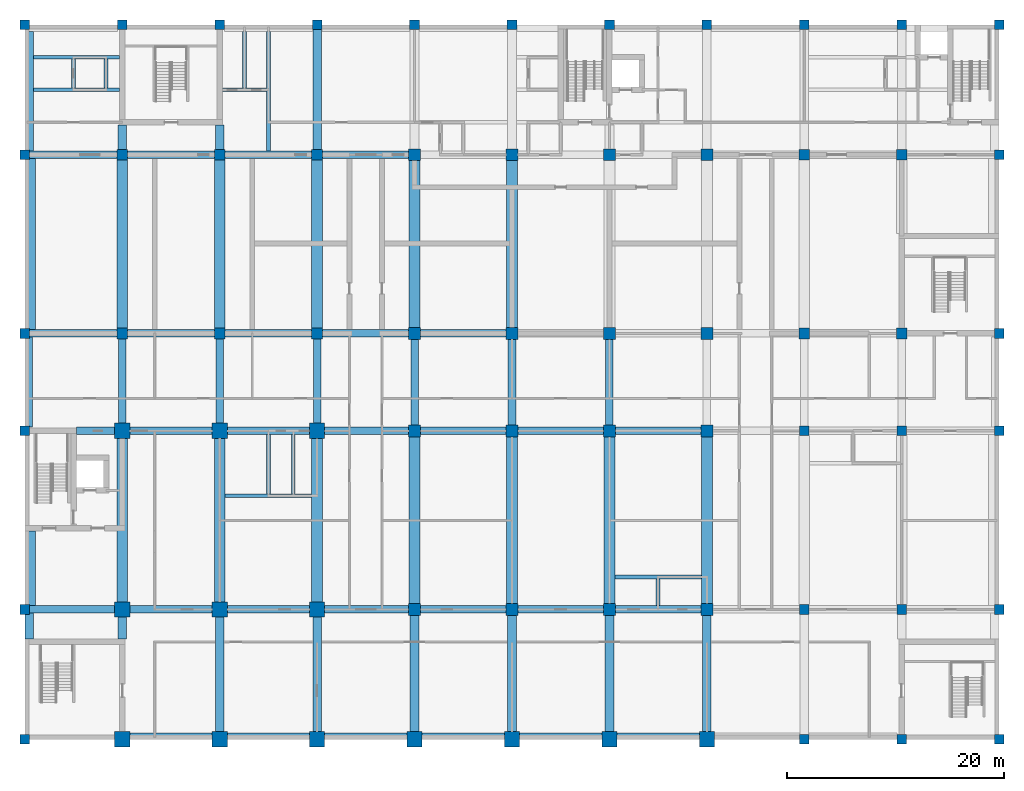
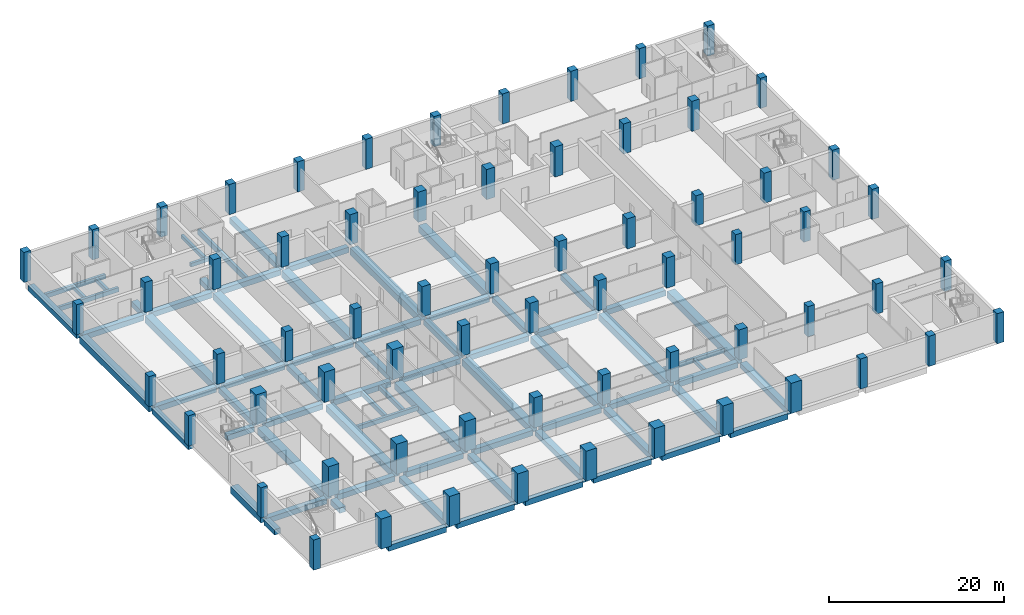
# One storey, part 1 of 16: 74 beams, 66 columns.
"""IFC4 building model written with IfcOpenShell, lengths in metres."""

from ifc_helpers import new_model, si_unit, direction, frame, origin, origin_2d, place, context, subcontext, project, spatial, rectangle, extrude, material, material_profile, profile_set, type_object, element, save


model = new_model("IFC4")

# Units and contexts
model_context = context("Model", 3, precision=1e-05, world=origin(), true_north=direction((0.0, 1.0)))
body_context = subcontext(model_context, "Body", "Model", "MODEL_VIEW")
ifc_project = project(units=[si_unit("LENGTHUNIT", "METRE"), si_unit("AREAUNIT", "SQUARE_METRE"), si_unit("VOLUMEUNIT", "CUBIC_METRE"), si_unit("PLANEANGLEUNIT", "RADIAN"), si_unit("MASSUNIT", "GRAM", prefix="KILO")], contexts=[model_context])

# Site, building, storey
site_placement = place(None, origin())
site = spatial("IfcSite", under=ifc_project, at=site_placement, CompositionType="ELEMENT")
building_placement = place(site_placement, origin())
building = spatial("IfcBuilding", under=site, at=building_placement, Name="Aurelan Courthouse", CompositionType="ELEMENT")
storey_placement = place(building_placement, frame((0.0, 0.0, -4.199951171875)))
storey = spatial("IfcBuildingStorey", under=building, at=storey_placement, Name="B1", CompositionType="ELEMENT", Elevation=-4.199951171875)

# Columns
ifc_material_1 = material(Name="Concrete C50", Category="concrete")
ifc_material_profile_1 = material_profile(ifc_material_1, rectangle(XDim=1.0, YDim=1.0, at=origin_2d()), Name="RC 1000 x 1000")
ifc_profile_set_1 = profile_set([ifc_material_profile_1], Name="Concrete C50")
column_type_1 = type_object("IfcColumnType", Name="RC column 1000 x 1000 C50", PredefinedType="COLUMN", material=ifc_profile_set_1)
for number, where, z_axis, x_axis, name in (
    (1, (9.0, 37.5, 0.0), (0.0, 0.0, 1.0), (1.0, 0.0, 0.0), "Column C-D2-A"),
    (2, (18.0, 37.5, 0.0), (0.0, 0.0, 1.0), (1.0, 0.0, 0.0), "Column C-D3-A"),
    (3, (27.0, 37.5, 0.0), (0.0, 0.0, 1.0), (1.0, 0.0, 0.0), "Column C-D4-A"),
    (4, (72.0, 37.5, 0.0), (0.0, 0.0, 1.0), (1.0, 0.0, 0.0), "Column C-D9-A"),
    (5, (81.0, 37.5, 0.0), (0.0, 0.0, 1.0), (1.0, 0.0, 0.0), "Column C-D10-A"),
    (6, (9.0, 54.0, 0.0), (0.0, 0.0, 1.0), (1.0, 0.0, 0.0), "Column C-E2-A"),
    (7, (18.0, 54.0, 0.0), (0.0, 0.0, 1.0), (1.0, 0.0, 0.0), "Column C-E3-A"),
    (8, (27.0, 54.0, 0.0), (0.0, 0.0, 1.0), (1.0, 0.0, 0.0), "Column C-E4-A"),
    (9, (72.0, 54.0, 0.0), (0.0, 0.0, 1.0), (1.0, 0.0, 0.0), "Column C-E9-A"),
    (10, (81.0, 54.0, 0.0), (0.0, 0.0, 1.0), (1.0, 0.0, 0.0), "Column C-E10-A"),
):
    element("IfcColumn", number, at=place(storey_placement, frame(where, z_axis=z_axis, x_axis=x_axis)), inside=storey, type_object=column_type_1, Name=name, PredefinedType="COLUMN", context=body_context, shape_type="SweptSolid", body=[
        extrude(rectangle(XDim=1.0, YDim=1.0, at=origin_2d()), origin(), (0.0, 0.0, 1.0), 4.199951171875),
    ])
ifc_material_profile_2 = material_profile(ifc_material_1, rectangle(XDim=1.10009765625, YDim=1.10009765625, at=origin_2d()), Name="RC 1100 x 1100")
ifc_profile_set_2 = profile_set([ifc_material_profile_2], Name="Concrete C50")
column_type_2 = type_object("IfcColumnType", Name="RC column 1100 x 1100 C50", PredefinedType="COLUMN", material=ifc_profile_set_2)
for number, where, z_axis, x_axis, name in (
    (11, (36.0, 12.0, 0.0), (0.0, 0.0, 1.0), (1.0, 0.0, 0.0), "Column C-B5-A"),
    (12, (45.0, 12.0, 0.0), (0.0, 0.0, 1.0), (1.0, 0.0, 0.0), "Column C-B6-A"),
    (13, (54.0, 12.0, 0.0), (0.0, 0.0, 1.0), (1.0, 0.0, 0.0), "Column C-B7-A"),
    (14, (63.0, 12.0, 0.0), (0.0, 0.0, 1.0), (1.0, 0.0, 0.0), "Column C-B8-A"),
    (15, (36.0, 28.5, 0.0), (0.0, 0.0, 1.0), (1.0, 0.0, 0.0), "Column C-C5-A"),
    (16, (45.0, 28.5, 0.0), (0.0, 0.0, 1.0), (1.0, 0.0, 0.0), "Column C-C6-A"),
    (17, (54.0, 28.5, 0.0), (0.0, 0.0, 1.0), (1.0, 0.0, 0.0), "Column C-C7-A"),
    (18, (63.0, 28.5, 0.0), (0.0, 0.0, 1.0), (1.0, 0.0, 0.0), "Column C-C8-A"),
    (19, (36.0, 37.5, 0.0), (0.0, 0.0, 1.0), (1.0, 0.0, 0.0), "Column C-D5-A"),
    (20, (45.0, 37.5, 0.0), (0.0, 0.0, 1.0), (1.0, 0.0, 0.0), "Column C-D6-A"),
    (21, (54.0, 37.5, 0.0), (0.0, 0.0, 1.0), (1.0, 0.0, 0.0), "Column C-D7-A"),
    (22, (63.0, 37.5, 0.0), (0.0, 0.0, 1.0), (1.0, 0.0, 0.0), "Column C-D8-A"),
    (23, (36.0, 54.0, 0.0), (0.0, 0.0, 1.0), (1.0, 0.0, 0.0), "Column C-E5-A"),
    (24, (45.0, 54.0, 0.0), (0.0, 0.0, 1.0), (1.0, 0.0, 0.0), "Column C-E6-A"),
    (25, (54.0, 54.0, 0.0), (0.0, 0.0, 1.0), (1.0, 0.0, 0.0), "Column C-E7-A"),
    (26, (63.0, 54.0, 0.0), (0.0, 0.0, 1.0), (1.0, 0.0, 0.0), "Column C-E8-A"),
):
    element("IfcColumn", number, at=place(storey_placement, frame(where, z_axis=z_axis, x_axis=x_axis)), inside=storey, type_object=column_type_2, Name=name, PredefinedType="COLUMN", context=body_context, shape_type="SweptSolid", body=[
        extrude(rectangle(XDim=1.10009765625, YDim=1.10009765625, at=origin_2d()), origin(), (0.0, 0.0, 1.0), 4.199951171875),
    ])
ifc_material_profile_3 = material_profile(ifc_material_1, rectangle(XDim=1.39990234375, YDim=1.39990234375, at=origin_2d()), Name="RC 1400 x 1400")
ifc_profile_set_3 = profile_set([ifc_material_profile_3], Name="Concrete C50")
column_type_3 = type_object("IfcColumnType", Name="RC column 1400 x 1400 C50", PredefinedType="COLUMN", material=ifc_profile_set_3)
for number, where, z_axis, x_axis, name in (
    (27, (9.0, 0.0, 0.0), (0.0, 0.0, 1.0), (1.0, 0.0, 0.0), "Column C-A2-A"),
    (28, (18.0, 0.0, 0.0), (0.0, 0.0, 1.0), (1.0, 0.0, 0.0), "Column C-A3-A"),
    (29, (27.0, 0.0, 0.0), (0.0, 0.0, 1.0), (1.0, 0.0, 0.0), "Column C-A4-A"),
    (30, (36.0, 0.0, 0.0), (0.0, 0.0, 1.0), (1.0, 0.0, 0.0), "Column C-A5-A"),
    (31, (45.0, 0.0, 0.0), (0.0, 0.0, 1.0), (1.0, 0.0, 0.0), "Column C-A6-A"),
    (32, (54.0, 0.0, 0.0), (0.0, 0.0, 1.0), (1.0, 0.0, 0.0), "Column C-A7-A"),
    (33, (63.0, 0.0, 0.0), (0.0, 0.0, 1.0), (1.0, 0.0, 0.0), "Column C-A8-A"),
    (34, (9.0, 12.0, 0.0), (0.0, 0.0, 1.0), (1.0, 0.0, 0.0), "Column C-B2-A"),
    (35, (18.0, 12.0, 0.0), (0.0, 0.0, 1.0), (1.0, 0.0, 0.0), "Column C-B3-A"),
    (36, (27.0, 12.0, 0.0), (0.0, 0.0, 1.0), (1.0, 0.0, 0.0), "Column C-B4-A"),
    (37, (9.0, 28.5, 0.0), (0.0, 0.0, 1.0), (1.0, 0.0, 0.0), "Column C-C2-A"),
    (38, (18.0, 28.5, 0.0), (0.0, 0.0, 1.0), (1.0, 0.0, 0.0), "Column C-C3-A"),
    (39, (27.0, 28.5, 0.0), (0.0, 0.0, 1.0), (1.0, 0.0, 0.0), "Column C-C4-A"),
):
    element("IfcColumn", number, at=place(storey_placement, frame(where, z_axis=z_axis, x_axis=x_axis)), inside=storey, type_object=column_type_3, Name=name, PredefinedType="COLUMN", context=body_context, shape_type="SweptSolid", body=[
        extrude(rectangle(XDim=1.39990234375, YDim=1.39990234375, at=origin_2d()), origin(), (0.0, 0.0, 1.0), 4.199951171875),
    ])
ifc_material_profile_4 = material_profile(ifc_material_1, rectangle(XDim=0.89990234375, YDim=0.89990234375, at=origin_2d()), Name="RC 900 x 900")
ifc_profile_set_4 = profile_set([ifc_material_profile_4], Name="Concrete C50")
column_type_4 = type_object("IfcColumnType", Name="RC column 900 x 900 C50", PredefinedType="COLUMN", material=ifc_profile_set_4)
for number, where, z_axis, x_axis, name in (
    (40, (0.0, 0.0, 0.0), (0.0, 0.0, 1.0), (1.0, 0.0, 0.0), "Column C-A1-A"),
    (41, (72.0, 0.0, 0.0), (0.0, 0.0, 1.0), (1.0, 0.0, 0.0), "Column C-A9-A"),
    (42, (81.0, 0.0, 0.0), (0.0, 0.0, 1.0), (1.0, 0.0, 0.0), "Column C-A10-A"),
    (43, (90.0, 0.0, 0.0), (0.0, 0.0, 1.0), (1.0, 0.0, 0.0), "Column C-A11-A"),
    (44, (0.0, 12.0, 0.0), (0.0, 0.0, 1.0), (1.0, 0.0, 0.0), "Column C-B1-A"),
    (45, (72.0, 12.0, 0.0), (0.0, 0.0, 1.0), (1.0, 0.0, 0.0), "Column C-B9-A"),
    (46, (81.0, 12.0, 0.0), (0.0, 0.0, 1.0), (1.0, 0.0, 0.0), "Column C-B10-A"),
    (47, (90.0, 12.0, 0.0), (0.0, 0.0, 1.0), (1.0, 0.0, 0.0), "Column C-B11-A"),
    (48, (0.0, 28.5, 0.0), (0.0, 0.0, 1.0), (1.0, 0.0, 0.0), "Column C-C1-A"),
    (49, (72.0, 28.5, 0.0), (0.0, 0.0, 1.0), (1.0, 0.0, 0.0), "Column C-C9-A"),
    (50, (81.0, 28.5, 0.0), (0.0, 0.0, 1.0), (1.0, 0.0, 0.0), "Column C-C10-A"),
    (51, (90.0, 28.5, 0.0), (0.0, 0.0, 1.0), (1.0, 0.0, 0.0), "Column C-C11-A"),
    (52, (0.0, 37.5, 0.0), (0.0, 0.0, 1.0), (1.0, 0.0, 0.0), "Column C-D1-A"),
    (53, (90.0, 37.5, 0.0), (0.0, 0.0, 1.0), (1.0, 0.0, 0.0), "Column C-D11-A"),
    (54, (0.0, 54.0, 0.0), (0.0, 0.0, 1.0), (1.0, 0.0, 0.0), "Column C-E1-A"),
    (55, (90.0, 54.0, 0.0), (0.0, 0.0, 1.0), (1.0, 0.0, 0.0), "Column C-E11-A"),
    (56, (0.0, 66.0, 0.0), (0.0, 0.0, 1.0), (1.0, 0.0, 0.0), "Column C-F1-A"),
    (57, (9.0, 66.0, 0.0), (0.0, 0.0, 1.0), (1.0, 0.0, 0.0), "Column C-F2-A"),
    (58, (18.0, 66.0, 0.0), (0.0, 0.0, 1.0), (1.0, 0.0, 0.0), "Column C-F3-A"),
    (59, (27.0, 66.0, 0.0), (0.0, 0.0, 1.0), (1.0, 0.0, 0.0), "Column C-F4-A"),
    (60, (36.0, 66.0, 0.0), (0.0, 0.0, 1.0), (1.0, 0.0, 0.0), "Column C-F5-A"),
    (61, (45.0, 66.0, 0.0), (0.0, 0.0, 1.0), (1.0, 0.0, 0.0), "Column C-F6-A"),
    (62, (54.0, 66.0, 0.0), (0.0, 0.0, 1.0), (1.0, 0.0, 0.0), "Column C-F7-A"),
    (63, (63.0, 66.0, 0.0), (0.0, 0.0, 1.0), (1.0, 0.0, 0.0), "Column C-F8-A"),
    (64, (72.0, 66.0, 0.0), (0.0, 0.0, 1.0), (1.0, 0.0, 0.0), "Column C-F9-A"),
    (65, (81.0, 66.0, 0.0), (0.0, 0.0, 1.0), (1.0, 0.0, 0.0), "Column C-F10-A"),
    (66, (90.0, 66.0, 0.0), (0.0, 0.0, 1.0), (1.0, 0.0, 0.0), "Column C-F11-A"),
):
    element("IfcColumn", number, at=place(storey_placement, frame(where, z_axis=z_axis, x_axis=x_axis)), inside=storey, type_object=column_type_4, Name=name, PredefinedType="COLUMN", context=body_context, shape_type="SweptSolid", body=[
        extrude(rectangle(XDim=0.89990234375, YDim=0.89990234375, at=origin_2d()), origin(), (0.0, 0.0, 1.0), 4.199951171875),
    ])

# Beams
ifc_material_profile_5 = material_profile(ifc_material_1, rectangle(XDim=0.699951171875, YDim=0.75, at=origin_2d()), Name="RC 700 x 750")
ifc_profile_set_5 = profile_set([ifc_material_profile_5], Name="Concrete C50")
beam_type_1 = type_object("IfcBeamType", Name="PT beam 700 x 750", PredefinedType="BEAM", material=ifc_profile_set_5)
beam_1_placement = place(storey_placement, frame((0.35009765625, 28.85009765625, -0.775146484375), z_axis=(0.0, 1.0, 0.0), x_axis=(-1.0, 0.0, 0.0)))
element("IfcBeam", 67, at=beam_1_placement, inside=storey, type_object=beam_type_1, Name="Girder GB-1CD-E", PredefinedType="BEAM", context=body_context, shape_type="SweptSolid", body=[
    extrude(rectangle(XDim=0.699951171875, YDim=0.75, at=origin_2d()), origin(), (0.0, 0.0, 1.0), 8.2998046875),
])
for number, where, z_axis, x_axis, name in (
    (68, (9.0, 29.199951171875, -0.775146484375), (0.0, 1.0, 0.0), (-1.0, 0.0, 0.0), "Girder GB-2CD"),
    (69, (18.0, 29.199951171875, -0.775146484375), (0.0, 1.0, 0.0), (-1.0, 0.0, 0.0), "Girder GB-3CD"),
    (70, (27.0, 29.199951171875, -0.775146484375), (0.0, 1.0, 0.0), (-1.0, 0.0, 0.0), "Girder GB-4CD"),
):
    element("IfcBeam", number, at=place(storey_placement, frame(where, z_axis=z_axis, x_axis=x_axis)), inside=storey, type_object=beam_type_1, Name=name, PredefinedType="BEAM", context=body_context, shape_type="SweptSolid", body=[
        extrude(rectangle(XDim=0.699951171875, YDim=0.75, at=origin_2d()), origin(), (0.0, 0.0, 1.0), 7.800048828125),
    ])
for number, where, z_axis, x_axis, name in (
    (71, (36.0, 29.050048828125, -0.775146484375), (0.0, 1.0, 0.0), (-1.0, 0.0, 0.0), "Girder GB-5CD"),
    (72, (45.0, 29.050048828125, -0.775146484375), (0.0, 1.0, 0.0), (-1.0, 0.0, 0.0), "Girder GB-6CD"),
    (73, (54.0, 29.050048828125, -0.775146484375), (0.0, 1.0, 0.0), (-1.0, 0.0, 0.0), "Girder GB-7CD"),
):
    element("IfcBeam", number, at=place(storey_placement, frame(where, z_axis=z_axis, x_axis=x_axis)), inside=storey, type_object=beam_type_1, Name=name, PredefinedType="BEAM", context=body_context, shape_type="SweptSolid", body=[
        extrude(rectangle(XDim=0.699951171875, YDim=0.75, at=origin_2d()), origin(), (0.0, 0.0, 1.0), 7.89990234375),
    ])
beam_2_placement = place(storey_placement, frame((0.449951171875, 12.0, -0.775146484375), z_axis=(1.0, 0.0, 0.0), x_axis=(0.0, 1.0, 0.0)))
element("IfcBeam", 74, at=beam_2_placement, inside=storey, type_object=beam_type_1, Name="Beam EB-B-1-2", PredefinedType="BEAM", context=body_context, shape_type="SweptSolid", body=[
    extrude(rectangle(XDim=0.699951171875, YDim=0.75, at=origin_2d()), origin(), (0.0, 0.0, 1.0), 7.85009765625),
])
for number, where, z_axis, x_axis, name in (
    (75, (9.699951171875, 12.0, -0.775146484375), (1.0, 0.0, 0.0), (0.0, 1.0, 0.0), "Beam EB-B-2-3"),
    (76, (18.699951171875, 12.0, -0.775146484375), (1.0, 0.0, 0.0), (0.0, 1.0, 0.0), "Beam EB-B-3-4"),
):
    element("IfcBeam", number, at=place(storey_placement, frame(where, z_axis=z_axis, x_axis=x_axis)), inside=storey, type_object=beam_type_1, Name=name, PredefinedType="BEAM", context=body_context, shape_type="SweptSolid", body=[
        extrude(rectangle(XDim=0.699951171875, YDim=0.75, at=origin_2d()), origin(), (0.0, 0.0, 1.0), 7.60009765625),
    ])
beam_3_placement = place(storey_placement, frame((27.699951171875, 12.0, -0.775146484375), z_axis=(1.0, 0.0, 0.0), x_axis=(0.0, 1.0, 0.0)))
element("IfcBeam", 77, at=beam_3_placement, inside=storey, type_object=beam_type_1, Name="Beam EB-B-4-5", PredefinedType="BEAM", context=body_context, shape_type="SweptSolid", body=[
    extrude(rectangle(XDim=0.699951171875, YDim=0.75, at=origin_2d()), origin(), (0.0, 0.0, 1.0), 7.75),
])
for number, where, z_axis, x_axis, name in (
    (78, (36.550048828125, 12.0, -0.775146484375), (1.0, 0.0, 0.0), (0.0, 1.0, 0.0), "Beam EB-B-5-6"),
    (79, (45.550048828125, 12.0, -0.775146484375), (1.0, 0.0, 0.0), (0.0, 1.0, 0.0), "Beam EB-B-6-7"),
    (80, (54.550048828125, 12.0, -0.775146484375), (1.0, 0.0, 0.0), (0.0, 1.0, 0.0), "Beam EB-B-7-8"),
):
    element("IfcBeam", number, at=place(storey_placement, frame(where, z_axis=z_axis, x_axis=x_axis)), inside=storey, type_object=beam_type_1, Name=name, PredefinedType="BEAM", context=body_context, shape_type="SweptSolid", body=[
        extrude(rectangle(XDim=0.699951171875, YDim=0.75, at=origin_2d()), origin(), (0.0, 0.0, 1.0), 7.89990234375),
    ])
beam_4_placement = place(storey_placement, frame((4.75, 28.5, -0.775146484375), z_axis=(1.0, 0.0, 0.0), x_axis=(0.0, 1.0, 0.0)))
element("IfcBeam", 81, at=beam_4_placement, inside=storey, type_object=beam_type_1, Name="Beam EB-C-1-2", PredefinedType="BEAM", context=body_context, shape_type="SweptSolid", body=[
    extrude(rectangle(XDim=0.699951171875, YDim=0.75, at=origin_2d()), origin(), (0.0, 0.0, 1.0), 3.550048828125),
])
for number, where, z_axis, x_axis, name in (
    (82, (9.699951171875, 28.5, -0.775146484375), (1.0, 0.0, 0.0), (0.0, 1.0, 0.0), "Beam EB-C-2-3"),
    (83, (18.699951171875, 28.5, -0.775146484375), (1.0, 0.0, 0.0), (0.0, 1.0, 0.0), "Beam EB-C-3-4"),
):
    element("IfcBeam", number, at=place(storey_placement, frame(where, z_axis=z_axis, x_axis=x_axis)), inside=storey, type_object=beam_type_1, Name=name, PredefinedType="BEAM", context=body_context, shape_type="SweptSolid", body=[
        extrude(rectangle(XDim=0.699951171875, YDim=0.75, at=origin_2d()), origin(), (0.0, 0.0, 1.0), 7.60009765625),
    ])
beam_5_placement = place(storey_placement, frame((27.699951171875, 28.5, -0.775146484375), z_axis=(1.0, 0.0, 0.0), x_axis=(0.0, 1.0, 0.0)))
element("IfcBeam", 84, at=beam_5_placement, inside=storey, type_object=beam_type_1, Name="Beam EB-C-4-5", PredefinedType="BEAM", context=body_context, shape_type="SweptSolid", body=[
    extrude(rectangle(XDim=0.699951171875, YDim=0.75, at=origin_2d()), origin(), (0.0, 0.0, 1.0), 7.75),
])
for number, where, z_axis, x_axis, name in (
    (85, (36.550048828125, 28.5, -0.775146484375), (1.0, 0.0, 0.0), (0.0, 1.0, 0.0), "Beam EB-C-5-6"),
    (86, (45.550048828125, 28.5, -0.775146484375), (1.0, 0.0, 0.0), (0.0, 1.0, 0.0), "Beam EB-C-6-7"),
    (87, (54.550048828125, 28.5, -0.775146484375), (1.0, 0.0, 0.0), (0.0, 1.0, 0.0), "Beam EB-C-7-8"),
):
    element("IfcBeam", number, at=place(storey_placement, frame(where, z_axis=z_axis, x_axis=x_axis)), inside=storey, type_object=beam_type_1, Name=name, PredefinedType="BEAM", context=body_context, shape_type="SweptSolid", body=[
        extrude(rectangle(XDim=0.699951171875, YDim=0.75, at=origin_2d()), origin(), (0.0, 0.0, 1.0), 7.89990234375),
    ])
beam_6_placement = place(storey_placement, frame((0.449951171875, 37.5, -0.775146484375), z_axis=(1.0, 0.0, 0.0), x_axis=(0.0, 1.0, 0.0)))
element("IfcBeam", 88, at=beam_6_placement, inside=storey, type_object=beam_type_1, Name="Beam EB-D-1-2", PredefinedType="BEAM", context=body_context, shape_type="SweptSolid", body=[
    extrude(rectangle(XDim=0.699951171875, YDim=0.75, at=origin_2d()), origin(), (0.0, 0.0, 1.0), 8.050048828125),
])
for number, where, z_axis, x_axis, name in (
    (89, (9.5, 37.5, -0.775146484375), (1.0, 0.0, 0.0), (0.0, 1.0, 0.0), "Beam EB-D-2-3"),
    (90, (18.5, 37.5, -0.775146484375), (1.0, 0.0, 0.0), (0.0, 1.0, 0.0), "Beam EB-D-3-4"),
):
    element("IfcBeam", number, at=place(storey_placement, frame(where, z_axis=z_axis, x_axis=x_axis)), inside=storey, type_object=beam_type_1, Name=name, PredefinedType="BEAM", context=body_context, shape_type="SweptSolid", body=[
        extrude(rectangle(XDim=0.699951171875, YDim=0.75, at=origin_2d()), origin(), (0.0, 0.0, 1.0), 8.0),
    ])
beam_7_placement = place(storey_placement, frame((27.5, 37.5, -0.775146484375), z_axis=(1.0, 0.0, 0.0), x_axis=(0.0, 1.0, 0.0)))
element("IfcBeam", 91, at=beam_7_placement, inside=storey, type_object=beam_type_1, Name="Beam EB-D-4-5", PredefinedType="BEAM", context=body_context, shape_type="SweptSolid", body=[
    extrude(rectangle(XDim=0.699951171875, YDim=0.75, at=origin_2d()), origin(), (0.0, 0.0, 1.0), 7.949951171875),
])
beam_8_placement = place(storey_placement, frame((36.550048828125, 37.5, -0.775146484375), z_axis=(1.0, 0.0, 0.0), x_axis=(0.0, 1.0, 0.0)))
element("IfcBeam", 92, at=beam_8_placement, inside=storey, type_object=beam_type_1, Name="Beam EB-D-5-6", PredefinedType="BEAM", context=body_context, shape_type="SweptSolid", body=[
    extrude(rectangle(XDim=0.699951171875, YDim=0.75, at=origin_2d()), origin(), (0.0, 0.0, 1.0), 7.89990234375),
])
beam_9_placement = place(storey_placement, frame((0.449951171875, 54.0, -0.775146484375), z_axis=(1.0, 0.0, 0.0), x_axis=(0.0, 1.0, 0.0)))
element("IfcBeam", 93, at=beam_9_placement, inside=storey, type_object=beam_type_1, Name="Beam EB-E-1-2", PredefinedType="BEAM", context=body_context, shape_type="SweptSolid", body=[
    extrude(rectangle(XDim=0.699951171875, YDim=0.75, at=origin_2d()), origin(), (0.0, 0.0, 1.0), 8.050048828125),
])
for number, where, z_axis, x_axis, name in (
    (94, (9.5, 54.0, -0.775146484375), (1.0, 0.0, 0.0), (0.0, 1.0, 0.0), "Beam EB-E-2-3"),
    (95, (18.5, 54.0, -0.775146484375), (1.0, 0.0, 0.0), (0.0, 1.0, 0.0), "Beam EB-E-3-4"),
):
    element("IfcBeam", number, at=place(storey_placement, frame(where, z_axis=z_axis, x_axis=x_axis)), inside=storey, type_object=beam_type_1, Name=name, PredefinedType="BEAM", context=body_context, shape_type="SweptSolid", body=[
        extrude(rectangle(XDim=0.699951171875, YDim=0.75, at=origin_2d()), origin(), (0.0, 0.0, 1.0), 8.0),
    ])
beam_10_placement = place(storey_placement, frame((27.5, 54.0, -0.775146484375), z_axis=(1.0, 0.0, 0.0), x_axis=(0.0, 1.0, 0.0)))
element("IfcBeam", 96, at=beam_10_placement, inside=storey, type_object=beam_type_1, Name="Beam EB-E-4-5", PredefinedType="BEAM", context=body_context, shape_type="SweptSolid", body=[
    extrude(rectangle(XDim=0.699951171875, YDim=0.75, at=origin_2d()), origin(), (0.0, 0.0, 1.0), 7.949951171875),
])
ifc_material_profile_6 = material_profile(ifc_material_1, rectangle(XDim=1.0, YDim=0.949951171875, at=origin_2d()), Name="RC 1000 x 950")
ifc_profile_set_6 = profile_set([ifc_material_profile_6], Name="Concrete C50")
beam_type_2 = type_object("IfcBeamType", Name="PT girder 1000 x 950", PredefinedType="BEAM", material=ifc_profile_set_6)
beam_11_placement = place(storey_placement, frame((0.5, 12.35009765625, -0.875), z_axis=(0.0, 1.0, 0.0), x_axis=(-1.0, 0.0, 0.0)))
element("IfcBeam", 97, at=beam_11_placement, inside=storey, type_object=beam_type_2, Name="Girder GB-1BC-E", PredefinedType="BEAM", context=body_context, shape_type="SweptSolid", body=[
    extrude(rectangle(XDim=1.0, YDim=0.949951171875, at=origin_2d()), origin(), (0.0, 0.0, 1.0), 6.89990234375),
])
beam_12_placement = place(storey_placement, frame((0.5, 37.85009765625, -0.875), z_axis=(0.0, 1.0, 0.0), x_axis=(-1.0, 0.0, 0.0)))
element("IfcBeam", 98, at=beam_12_placement, inside=storey, type_object=beam_type_2, Name="Girder GB-1DE-E", PredefinedType="BEAM", context=body_context, shape_type="SweptSolid", body=[
    extrude(rectangle(XDim=1.0, YDim=0.949951171875, at=origin_2d()), origin(), (0.0, 0.0, 1.0), 15.7998046875),
])
beam_13_placement = place(storey_placement, frame((9.0, 12.699951171875, -0.875), z_axis=(0.0, 1.0, 0.0), x_axis=(-1.0, 0.0, 0.0)))
element("IfcBeam", 99, at=beam_13_placement, inside=storey, type_object=beam_type_2, Name="Girder GB-2BC", PredefinedType="BEAM", context=body_context, shape_type="SweptSolid", body=[
    extrude(rectangle(XDim=1.0, YDim=0.949951171875, at=origin_2d()), origin(), (0.0, 0.0, 1.0), 15.10009765625),
])
beam_14_placement = place(storey_placement, frame((9.0, 38.0, -0.875), z_axis=(0.0, 1.0, 0.0), x_axis=(-1.0, 0.0, 0.0)))
element("IfcBeam", 100, at=beam_14_placement, inside=storey, type_object=beam_type_2, Name="Girder GB-2DE", PredefinedType="BEAM", context=body_context, shape_type="SweptSolid", body=[
    extrude(rectangle(XDim=1.0, YDim=0.949951171875, at=origin_2d()), origin(), (0.0, 0.0, 1.0), 15.5),
])
beam_15_placement = place(storey_placement, frame((18.0, 12.699951171875, -0.875), z_axis=(0.0, 1.0, 0.0), x_axis=(-1.0, 0.0, 0.0)))
element("IfcBeam", 101, at=beam_15_placement, inside=storey, type_object=beam_type_2, Name="Girder GB-3BC", PredefinedType="BEAM", context=body_context, shape_type="SweptSolid", body=[
    extrude(rectangle(XDim=1.0, YDim=0.949951171875, at=origin_2d()), origin(), (0.0, 0.0, 1.0), 15.10009765625),
])
beam_16_placement = place(storey_placement, frame((18.0, 38.0, -0.875), z_axis=(0.0, 1.0, 0.0), x_axis=(-1.0, 0.0, 0.0)))
element("IfcBeam", 102, at=beam_16_placement, inside=storey, type_object=beam_type_2, Name="Girder GB-3DE", PredefinedType="BEAM", context=body_context, shape_type="SweptSolid", body=[
    extrude(rectangle(XDim=1.0, YDim=0.949951171875, at=origin_2d()), origin(), (0.0, 0.0, 1.0), 15.5),
])
beam_17_placement = place(storey_placement, frame((27.0, 12.699951171875, -0.875), z_axis=(0.0, 1.0, 0.0), x_axis=(-1.0, 0.0, 0.0)))
element("IfcBeam", 103, at=beam_17_placement, inside=storey, type_object=beam_type_2, Name="Girder GB-4BC", PredefinedType="BEAM", context=body_context, shape_type="SweptSolid", body=[
    extrude(rectangle(XDim=1.0, YDim=0.949951171875, at=origin_2d()), origin(), (0.0, 0.0, 1.0), 15.10009765625),
])
beam_18_placement = place(storey_placement, frame((27.0, 38.0, -0.875), z_axis=(0.0, 1.0, 0.0), x_axis=(-1.0, 0.0, 0.0)))
element("IfcBeam", 104, at=beam_18_placement, inside=storey, type_object=beam_type_2, Name="Girder GB-4DE", PredefinedType="BEAM", context=body_context, shape_type="SweptSolid", body=[
    extrude(rectangle(XDim=1.0, YDim=0.949951171875, at=origin_2d()), origin(), (0.0, 0.0, 1.0), 15.5),
])
for number, where, z_axis, x_axis, name in (
    (105, (36.0, 12.550048828125, -0.875), (0.0, 1.0, 0.0), (-1.0, 0.0, 0.0), "Girder GB-5BC"),
    (106, (36.0, 38.050048828125, -0.875), (0.0, 1.0, 0.0), (-1.0, 0.0, 0.0), "Girder GB-5DE"),
    (107, (45.0, 12.550048828125, -0.875), (0.0, 1.0, 0.0), (-1.0, 0.0, 0.0), "Girder GB-6BC"),
    (108, (45.0, 38.050048828125, -0.875), (0.0, 1.0, 0.0), (-1.0, 0.0, 0.0), "Girder GB-6DE"),
    (109, (54.0, 12.550048828125, -0.875), (0.0, 1.0, 0.0), (-1.0, 0.0, 0.0), "Girder GB-7BC"),
    (110, (63.0, 12.550048828125, -0.875), (0.0, 1.0, 0.0), (-1.0, 0.0, 0.0), "Girder GB-8BC"),
):
    element("IfcBeam", number, at=place(storey_placement, frame(where, z_axis=z_axis, x_axis=x_axis)), inside=storey, type_object=beam_type_2, Name=name, PredefinedType="BEAM", context=body_context, shape_type="SweptSolid", body=[
        extrude(rectangle(XDim=1.0, YDim=0.949951171875, at=origin_2d()), origin(), (0.0, 0.0, 1.0), 15.39990234375),
    ])
ifc_material_profile_7 = material_profile(ifc_material_1, rectangle(XDim=0.800048828125, YDim=0.75, at=origin_2d()), Name="RC 800 x 750")
ifc_profile_set_7 = profile_set([ifc_material_profile_7], Name="Concrete C50")
beam_type_3 = type_object("IfcBeamType", Name="PT girder 800 x 750", PredefinedType="BEAM", material=ifc_profile_set_7)
beam_19_placement = place(storey_placement, frame((0.39990234375, 9.25, -0.775146484375), z_axis=(0.0, 1.0, 0.0), x_axis=(-1.0, 0.0, 0.0)))
element("IfcBeam", 111, at=beam_19_placement, inside=storey, type_object=beam_type_3, Name="Girder GB-1AB-E", PredefinedType="BEAM", context=body_context, shape_type="SweptSolid", body=[
    extrude(rectangle(XDim=0.800048828125, YDim=0.75, at=origin_2d()), origin(), (0.0, 0.0, 1.0), 2.39990234375),
])
beam_20_placement = place(storey_placement, frame((0.39990234375, 54.35009765625, -0.775146484375), z_axis=(0.0, 1.0, 0.0), x_axis=(-1.0, 0.0, 0.0)))
element("IfcBeam", 112, at=beam_20_placement, inside=storey, type_object=beam_type_3, Name="Girder GB-1EF-E", PredefinedType="BEAM", context=body_context, shape_type="SweptSolid", body=[
    extrude(rectangle(XDim=0.800048828125, YDim=0.75, at=origin_2d()), origin(), (0.0, 0.0, 1.0), 11.0498046875),
])
beam_21_placement = place(storey_placement, frame((9.0, 9.25, -0.775146484375), z_axis=(0.0, 1.0, 0.0), x_axis=(-1.0, 0.0, 0.0)))
element("IfcBeam", 113, at=beam_21_placement, inside=storey, type_object=beam_type_3, Name="Girder GB-2AB", PredefinedType="BEAM", context=body_context, shape_type="SweptSolid", body=[
    extrude(rectangle(XDim=0.800048828125, YDim=0.75, at=origin_2d()), origin(), (0.0, 0.0, 1.0), 2.050048828125),
])
beam_22_placement = place(storey_placement, frame((9.0, 54.5, -0.775146484375), z_axis=(0.0, 1.0, 0.0), x_axis=(-1.0, 0.0, 0.0)))
element("IfcBeam", 114, at=beam_22_placement, inside=storey, type_object=beam_type_3, Name="Girder GB-2EF", PredefinedType="BEAM", context=body_context, shape_type="SweptSolid", body=[
    extrude(rectangle(XDim=0.800048828125, YDim=0.75, at=origin_2d()), origin(), (0.0, 0.0, 1.0), 2.25),
])
beam_23_placement = place(storey_placement, frame((18.0, 0.699951171875, -0.775146484375), z_axis=(0.0, 1.0, 0.0), x_axis=(-1.0, 0.0, 0.0)))
element("IfcBeam", 115, at=beam_23_placement, inside=storey, type_object=beam_type_3, Name="Girder GB-3AB", PredefinedType="BEAM", context=body_context, shape_type="SweptSolid", body=[
    extrude(rectangle(XDim=0.800048828125, YDim=0.75, at=origin_2d()), origin(), (0.0, 0.0, 1.0), 10.60009765625),
])
beam_24_placement = place(storey_placement, frame((18.0, 54.5, -0.775146484375), z_axis=(0.0, 1.0, 0.0), x_axis=(-1.0, 0.0, 0.0)))
element("IfcBeam", 116, at=beam_24_placement, inside=storey, type_object=beam_type_3, Name="Girder GB-3EF", PredefinedType="BEAM", context=body_context, shape_type="SweptSolid", body=[
    extrude(rectangle(XDim=0.800048828125, YDim=0.75, at=origin_2d()), origin(), (0.0, 0.0, 1.0), 2.25),
])
beam_25_placement = place(storey_placement, frame((27.0, 0.699951171875, -0.775146484375), z_axis=(0.0, 1.0, 0.0), x_axis=(-1.0, 0.0, 0.0)))
element("IfcBeam", 117, at=beam_25_placement, inside=storey, type_object=beam_type_3, Name="Girder GB-4AB", PredefinedType="BEAM", context=body_context, shape_type="SweptSolid", body=[
    extrude(rectangle(XDim=0.800048828125, YDim=0.75, at=origin_2d()), origin(), (0.0, 0.0, 1.0), 10.60009765625),
])
beam_26_placement = place(storey_placement, frame((27.0, 54.5, -0.775146484375), z_axis=(0.0, 1.0, 0.0), x_axis=(-1.0, 0.0, 0.0)))
element("IfcBeam", 118, at=beam_26_placement, inside=storey, type_object=beam_type_3, Name="Girder GB-4EF", PredefinedType="BEAM", context=body_context, shape_type="SweptSolid", body=[
    extrude(rectangle(XDim=0.800048828125, YDim=0.75, at=origin_2d()), origin(), (0.0, 0.0, 1.0), 11.050048828125),
])
for number, where, z_axis, x_axis, name in (
    (119, (36.0, 0.699951171875, -0.775146484375), (0.0, 1.0, 0.0), (-1.0, 0.0, 0.0), "Girder GB-5AB"),
    (120, (45.0, 0.699951171875, -0.775146484375), (0.0, 1.0, 0.0), (-1.0, 0.0, 0.0), "Girder GB-6AB"),
    (121, (54.0, 0.699951171875, -0.775146484375), (0.0, 1.0, 0.0), (-1.0, 0.0, 0.0), "Girder GB-7AB"),
    (122, (63.0, 0.699951171875, -0.775146484375), (0.0, 1.0, 0.0), (-1.0, 0.0, 0.0), "Girder GB-8AB"),
):
    element("IfcBeam", number, at=place(storey_placement, frame(where, z_axis=z_axis, x_axis=x_axis)), inside=storey, type_object=beam_type_3, Name=name, PredefinedType="BEAM", context=body_context, shape_type="SweptSolid", body=[
        extrude(rectangle(XDim=0.800048828125, YDim=0.75, at=origin_2d()), origin(), (0.0, 0.0, 1.0), 10.75),
    ])
ifc_material_profile_8 = material_profile(ifc_material_1, rectangle(XDim=0.60009765625, YDim=0.800048828125, at=origin_2d()), Name="RC 600 x 800")
ifc_profile_set_8 = profile_set([ifc_material_profile_8], Name="Concrete C50")
beam_type_4 = type_object("IfcBeamType", Name="RC spandrel beam 600 x 800", PredefinedType="SPANDREL", material=ifc_profile_set_8)
for number, where, z_axis, x_axis, name in (
    (123, (9.699951171875, 0.300048828125, -0.800048828125), (1.0, 0.0, 0.0), (0.0, 1.0, 0.0), "Spandrel beam SB-A-2-3"),
    (124, (18.699951171875, 0.300048828125, -0.800048828125), (1.0, 0.0, 0.0), (0.0, 1.0, 0.0), "Spandrel beam SB-A-3-4"),
    (125, (27.699951171875, 0.300048828125, -0.800048828125), (1.0, 0.0, 0.0), (0.0, 1.0, 0.0), "Spandrel beam SB-A-4-5"),
    (126, (36.699951171875, 0.300048828125, -0.800048828125), (1.0, 0.0, 0.0), (0.0, 1.0, 0.0), "Spandrel beam SB-A-5-6"),
    (127, (45.699951171875, 0.300048828125, -0.800048828125), (1.0, 0.0, 0.0), (0.0, 1.0, 0.0), "Spandrel beam SB-A-6-7"),
    (128, (54.699951171875, 0.300048828125, -0.800048828125), (1.0, 0.0, 0.0), (0.0, 1.0, 0.0), "Spandrel beam SB-A-7-8"),
):
    element("IfcBeam", number, at=place(storey_placement, frame(where, z_axis=z_axis, x_axis=x_axis)), inside=storey, type_object=beam_type_4, Name=name, PredefinedType="SPANDREL", context=body_context, shape_type="SweptSolid", body=[
        extrude(rectangle(XDim=0.60009765625, YDim=0.800048828125, at=origin_2d()), origin(), (0.0, 0.0, 1.0), 7.60009765625),
    ])
ifc_material_2 = material(Name="Concrete C40", Category="concrete")
ifc_material_profile_9 = material_profile(ifc_material_2, rectangle(XDim=0.35009765625, YDim=0.5, at=origin_2d()), Name="RC 350 x 500")
ifc_profile_set_9 = profile_set([ifc_material_profile_9], Name="Concrete C40")
beam_type_5 = type_object("IfcBeamType", Name="RC wall beam 350 x 500", PredefinedType="BEAM", material=ifc_profile_set_9)
beam_27_placement = place(storey_placement, frame((18.25, 60.0, -0.650146484375), z_axis=(1.0, 0.0, 0.0), x_axis=(0.0, 1.0, 0.0)))
element("IfcBeam", 129, at=beam_27_placement, inside=storey, type_object=beam_type_5, Name="Wall beam WB-B1-019", PredefinedType="BEAM", context=body_context, shape_type="SweptSolid", body=[
    extrude(rectangle(XDim=0.35009765625, YDim=0.5, at=origin_2d()), origin(), (0.0, 0.0, 1.0), 4.074951171875),
])
beam_28_placement = place(storey_placement, frame((58.5, 12.35009765625, -0.650146484375), z_axis=(0.0, 1.0, 0.0), x_axis=(-1.0, 0.0, 0.0)))
element("IfcBeam", 130, at=beam_28_placement, inside=storey, type_object=beam_type_5, Name="Wall beam WB-B1-025", PredefinedType="BEAM", context=body_context, shape_type="SweptSolid", body=[
    extrude(rectangle(XDim=0.35009765625, YDim=0.5, at=origin_2d()), origin(), (0.0, 0.0, 1.0), 2.474853515625),
])
for number, where, z_axis, x_axis, name in (
    (131, (4.5, 60.175048828125, -0.650146484375), (0.0, 1.0, 0.0), (-1.0, 0.0, 0.0), "Wall beam WB-B1-026"),
    (132, (7.5, 60.175048828125, -0.650146484375), (0.0, 1.0, 0.0), (-1.0, 0.0, 0.0), "Wall beam WB-B1-027"),
):
    element("IfcBeam", number, at=place(storey_placement, frame(where, z_axis=z_axis, x_axis=x_axis)), inside=storey, type_object=beam_type_5, Name=name, PredefinedType="BEAM", context=body_context, shape_type="SweptSolid", body=[
        extrude(rectangle(XDim=0.35009765625, YDim=0.5, at=origin_2d()), origin(), (0.0, 0.0, 1.0), 2.64990234375),
    ])
beam_29_placement = place(storey_placement, frame((20.300048828125, 60.175048828125, -0.650146484375), z_axis=(0.0, 1.0, 0.0), x_axis=(-1.0, 0.0, 0.0)))
element("IfcBeam", 133, at=beam_29_placement, inside=storey, type_object=beam_type_5, Name="Wall beam WB-B1-031", PredefinedType="BEAM", context=body_context, shape_type="SweptSolid", body=[
    extrude(rectangle(XDim=0.35009765625, YDim=0.5, at=origin_2d()), origin(), (0.0, 0.0, 1.0), 5.224853515625),
])
ifc_material_profile_10 = material_profile(ifc_material_2, rectangle(XDim=0.35009765625, YDim=0.60009765625, at=origin_2d()), Name="RC 350 x 600")
ifc_profile_set_10 = profile_set([ifc_material_profile_10], Name="Concrete C40")
beam_type_6 = type_object("IfcBeamType", Name="RC wall beam 350 x 600", PredefinedType="BEAM", material=ifc_profile_set_10)
for number, where, z_axis, x_axis, name in (
    (134, (54.5, 15.0, -0.699951171875), (1.0, 0.0, 0.0), (0.0, 1.0, 0.0), "Wall beam WB-B1-002"),
    (135, (18.5, 22.5, -0.699951171875), (1.0, 0.0, 0.0), (0.0, 1.0, 0.0), "Wall beam WB-B1-003"),
):
    element("IfcBeam", number, at=place(storey_placement, frame(where, z_axis=z_axis, x_axis=x_axis)), inside=storey, type_object=beam_type_6, Name=name, PredefinedType="BEAM", context=body_context, shape_type="SweptSolid", body=[
        extrude(rectangle(XDim=0.35009765625, YDim=0.60009765625, at=origin_2d()), origin(), (0.0, 0.0, 1.0), 8.0),
    ])
for number, where, z_axis, x_axis, name in (
    (136, (0.800048828125, 60.0, -0.699951171875), (1.0, 0.0, 0.0), (0.0, 1.0, 0.0), "Wall beam WB-B1-005"),
    (137, (0.800048828125, 63.0, -0.699951171875), (1.0, 0.0, 0.0), (0.0, 1.0, 0.0), "Wall beam WB-B1-006"),
):
    element("IfcBeam", number, at=place(storey_placement, frame(where, z_axis=z_axis, x_axis=x_axis)), inside=storey, type_object=beam_type_6, Name=name, PredefinedType="BEAM", context=body_context, shape_type="SweptSolid", body=[
        extrude(rectangle(XDim=0.35009765625, YDim=0.60009765625, at=origin_2d()), origin(), (0.0, 0.0, 1.0), 7.949951171875),
    ])
for number, where, z_axis, x_axis, name in (
    (138, (22.5, 22.675048828125, -0.699951171875), (0.0, 1.0, 0.0), (-1.0, 0.0, 0.0), "Wall beam WB-B1-017"),
    (139, (24.800048828125, 22.675048828125, -0.699951171875), (0.0, 1.0, 0.0), (-1.0, 0.0, 0.0), "Wall beam WB-B1-018"),
):
    element("IfcBeam", number, at=place(storey_placement, frame(where, z_axis=z_axis, x_axis=x_axis)), inside=storey, type_object=beam_type_6, Name=name, PredefinedType="BEAM", context=body_context, shape_type="SweptSolid", body=[
        extrude(rectangle(XDim=0.35009765625, YDim=0.60009765625, at=origin_2d()), origin(), (0.0, 0.0, 1.0), 5.474853515625),
    ])
ifc_material_profile_11 = material_profile(ifc_material_2, rectangle(XDim=0.35009765625, YDim=0.75, at=origin_2d()), Name="RC 350 x 750")
ifc_profile_set_11 = profile_set([ifc_material_profile_11], Name="Concrete C40")
beam_type_7 = type_object("IfcBeamType", Name="RC wall beam 350 x 750", PredefinedType="BEAM", material=ifc_profile_set_11)
beam_30_placement = place(storey_placement, frame((22.5, 54.35009765625, -0.775146484375), z_axis=(0.0, 1.0, 0.0), x_axis=(-1.0, 0.0, 0.0)))
element("IfcBeam", 140, at=beam_30_placement, inside=storey, type_object=beam_type_7, Name="Wall beam WB-B1-001", PredefinedType="BEAM", context=body_context, shape_type="SweptSolid", body=[
    extrude(rectangle(XDim=0.35009765625, YDim=0.75, at=origin_2d()), origin(), (0.0, 0.0, 1.0), 11.0498046875),
])

save(model, "model.ifc")
